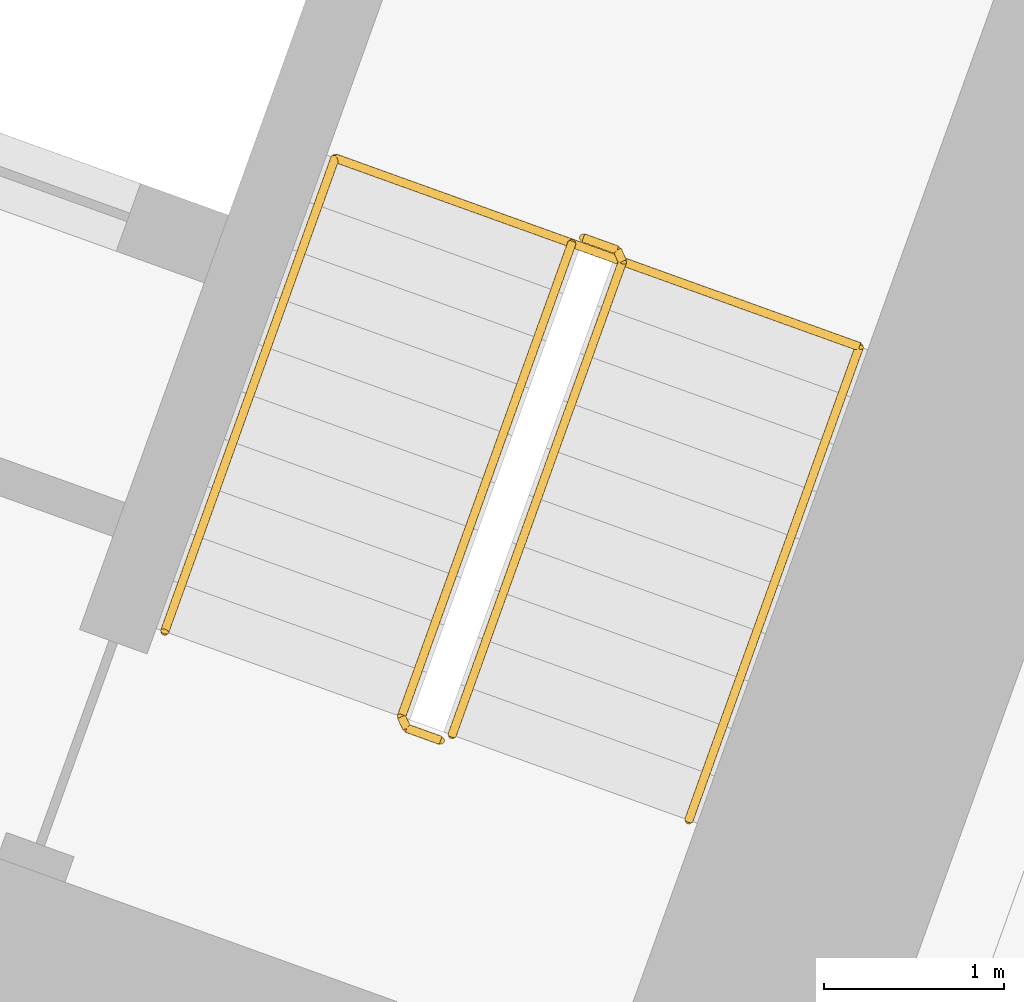
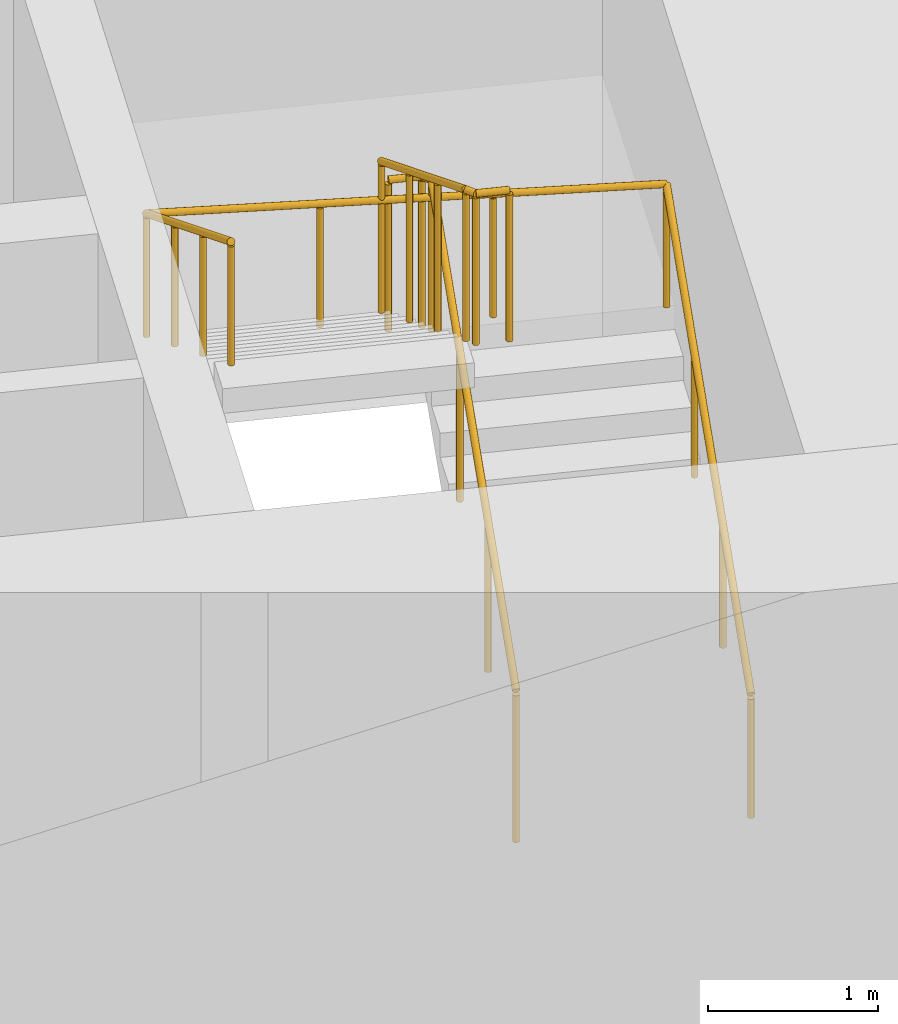
# One storey, part 20 of 20: 3 railings.
"""IFC4 building model written with IfcOpenShell, lengths in metres."""

import ifcopenshell
import ifcopenshell.guid

model = None  # the IFC model being written
_history = None  # IfcOwnerHistory: only IFC2X3 demands one
_inside = {}  # id of a spatial element -> (the spatial element, [elements in it])
_under = {}  # id of a project, library or spatial element -> (it, [spatial elements below it])
_declared = {}  # id of a project -> (the project, [libraries it declares])
_typed = {}  # id of a type object -> (the type object, [elements of that type])
_made_of = {}  # id of a material, layer set ... -> (it, [elements and type objects made of it])


def new_model(schema):
    """Start an empty IFC model of exactly this schema.

    Asked for "IFC4X3", IfcOpenShell would pick the latest addendum, in which some entities
    have other attributes; the version numbers below select the first issue.
    IFC2X3 requires an IfcOwnerHistory on every rooted entity: one is made here for all.
    """
    global model, _history
    if schema == "IFC4X3":
        model = ifcopenshell.file(schema_version=(4, 3, 0, 0))
    else:
        model = ifcopenshell.file(schema=schema)
    _inside.clear()
    _under.clear()
    _declared.clear()
    _typed.clear()
    _made_of.clear()
    _history = None
    if model.schema == "IFC2X3":
        org = make("IfcOrganization", Name="unknown")
        user = make(
            "IfcPersonAndOrganization",
            ThePerson=make("IfcPerson", FamilyName="unknown"),
            TheOrganization=org,
        )
        app = make(
            "IfcApplication",
            ApplicationDeveloper=org,
            Version="unknown",
            ApplicationFullName="unknown",
            ApplicationIdentifier="unknown",
        )
        _history = make(
            "IfcOwnerHistory",
            OwningUser=user,
            OwningApplication=app,
            ChangeAction="ADDED",
            CreationDate=0,
        )
    return model


def make(cls, **values):
    """One entity of the class cls with the attributes given. An attribute that is None is left unset."""
    return model.create_entity(
        cls, **{name: value for name, value in values.items() if value is not None}
    )


def rooted(cls, **values):
    """An entity with a GlobalId (a new one), such as an element, a storey or a relation."""
    return make(cls, GlobalId=ifcopenshell.guid.new(), OwnerHistory=_history, **values)


def si_unit(unit_type, name, prefix=None):
    """IfcSIUnit, for example si_unit("LENGTHUNIT", "METRE", prefix="MILLI")."""
    return make("IfcSIUnit", UnitType=unit_type, Prefix=prefix, Name=name)


def assignment(units):
    """IfcUnitAssignment: the units of a project."""
    return None if units is None else make("IfcUnitAssignment", Units=units)


def point(xyz):
    """IfcCartesianPoint."""
    return None if xyz is None else make("IfcCartesianPoint", Coordinates=xyz)


def direction(xyz):
    """IfcDirection."""
    return None if xyz is None else make("IfcDirection", DirectionRatios=xyz)


def frame(location, z_axis=None, x_axis=None):
    """IfcAxis2Placement3D, a coordinate frame: its origin and axes. An axis left out is left unset."""
    return make(
        "IfcAxis2Placement3D",
        Location=point(location),
        Axis=direction(z_axis),
        RefDirection=direction(x_axis),
    )


def frame_2d(location, x_axis=None):
    """IfcAxis2Placement2D, a coordinate frame in the plane: its origin and x axis."""
    return make(
        "IfcAxis2Placement2D", Location=point(location), RefDirection=direction(x_axis)
    )


def origin():
    """The frame at (0, 0, 0) with its axes left unset."""
    return frame((0.0, 0.0, 0.0))


def origin_2d():
    """The frame at (0, 0) in the plane with its x axis left unset."""
    return frame_2d((0.0, 0.0))


def place(relative_to, where):
    """IfcLocalPlacement: puts the frame where relative to a parent placement (None: the world)."""
    return make(
        "IfcLocalPlacement", PlacementRelTo=relative_to, RelativePlacement=where
    )


def context(
    kind, dimensions, precision=None, world=None, true_north=None, identifier=None
):
    """IfcGeometricRepresentationContext, for example the 3D "Model" context."""
    return make(
        "IfcGeometricRepresentationContext",
        ContextIdentifier=identifier,
        ContextType=kind,
        CoordinateSpaceDimension=dimensions,
        Precision=precision,
        WorldCoordinateSystem=world,
        TrueNorth=true_north,
    )


def subcontext(parent, identifier, kind, view, scale=None):
    """IfcGeometricRepresentationSubContext, for example "Body" below "Model"."""
    return make(
        "IfcGeometricRepresentationSubContext",
        ContextIdentifier=identifier,
        ContextType=kind,
        ParentContext=parent,
        TargetScale=scale,
        TargetView=view,
    )


def project(units=None, contexts=None):
    """IfcProject with its units and contexts."""
    return rooted(
        "IfcProject",
        Name="project",
        RepresentationContexts=contexts,
        UnitsInContext=assignment(units),
    )


def spatial(cls, under=None, at=None, **own):
    """A site, building, storey or space (cls), placed at a placement, below another one or the project."""
    s = rooted(cls, ObjectPlacement=at, **own)
    if under is not None:
        _under.setdefault(under.id(), (under, []))[1].append(s)
    return s


def profile(cls, at=None, kind="AREA", **sizes):
    """A parametric profile (cls). Its sizes go by their IFC names, for example OverallWidth=200.0."""
    return make(cls, ProfileType=kind, Position=at, **sizes)


def circle(**sizes):
    """IfcCircleProfileDef."""
    return profile("IfcCircleProfileDef", **sizes)


def extrude(swept, where, along, depth):
    """IfcExtrudedAreaSolid: the profile swept, set in the frame where, extruded along a direction by depth."""
    return make(
        "IfcExtrudedAreaSolid",
        SweptArea=swept,
        Position=where,
        ExtrudedDirection=direction(along),
        Depth=depth,
    )


def shape(context_of_items, identifier, shape_type, items):
    """IfcShapeRepresentation: the items that make up one representation, for example the "Body"."""
    return make(
        "IfcShapeRepresentation",
        ContextOfItems=context_of_items,
        RepresentationIdentifier=identifier,
        RepresentationType=shape_type,
        Items=items,
    )


def material(Name=None, Category=None):
    """IfcMaterial."""
    return make("IfcMaterial", Name=Name, Category=Category)


def made_of(thing, what):
    """Note that an element or type object is made of a material, layer set ...; save() writes the relation."""
    if what is not None:
        _made_of.setdefault(what.id(), (what, []))[1].append(thing)
    return thing


def type_object(cls, material=None, **own):
    """A type object (cls), such as IfcWallType, which elements share."""
    return made_of(rooted(cls, **own), material)


def element(
    cls,
    number,
    at=None,
    inside=None,
    cuts=None,
    type_object=None,
    material=None,
    context=None,
    identifier="Body",
    shape_type=None,
    held_by="IfcProductDefinitionShape",
    body=None,
    shapes=None,
    **own,
):
    """One element of the class cls, such as IfcWall. Its Tag is "e" and its number.

    at: its placement. inside: the storey or other place that contains it. cuts: it is an
    opening in that element (IfcRelVoidsElement). A single representation is given by context,
    identifier, shape_type and body (its items); several are given by shapes. held_by: the class
    of the entity that holds the representations. save() writes the other relations.
    """
    e = rooted(cls, Tag="e%d" % number, ObjectPlacement=at, **own)
    if body is not None:
        shapes = [shape(context, identifier, shape_type, body)]
    if shapes is not None:
        e.Representation = make(held_by, Representations=shapes)
    if inside is not None:
        _inside.setdefault(inside.id(), (inside, []))[1].append(e)
    if cuts is not None:
        rooted(
            "IfcRelVoidsElement", RelatingBuildingElement=cuts, RelatedOpeningElement=e
        )
    if type_object is not None:
        _typed.setdefault(type_object.id(), (type_object, []))[1].append(e)
    return made_of(e, material)


def aggregate(whole, parts):
    """IfcRelAggregates: a whole, such as a stair, and the parts it consists of."""
    return rooted("IfcRelAggregates", RelatingObject=whole, RelatedObjects=parts)


def save(model, path):
    """Write the relations noted so far, then the file.

    IfcRelAggregates (storeys below a building ...), IfcRelContainedInSpatialStructure (elements
    in a storey), IfcRelDefinesByType, IfcRelAssociatesMaterial and IfcRelDeclares: one each for
    every whole, place, type object, material and project.
    """
    for whole, parts in _under.values():
        aggregate(whole, parts)
    for where, things in _inside.values():
        rooted(
            "IfcRelContainedInSpatialStructure",
            RelatedElements=things,
            RelatingStructure=where,
        )
    for kind, things in _typed.values():
        rooted("IfcRelDefinesByType", RelatedObjects=things, RelatingType=kind)
    for what, things in _made_of.values():
        rooted("IfcRelAssociatesMaterial", RelatedObjects=things, RelatingMaterial=what)
    for by, libraries in _declared.values():
        rooted("IfcRelDeclares", RelatingContext=by, RelatedDefinitions=libraries)
    model.write(path)


model = new_model("IFC4")

# Units and contexts
model_context = context("Model", 3, precision=1e-05, world=origin(), true_north=direction((0.0, 1.0)))
body_context = subcontext(model_context, "Body", "Model", "MODEL_VIEW")
ifc_project = project(units=[si_unit("LENGTHUNIT", "METRE"), si_unit("AREAUNIT", "SQUARE_METRE"), si_unit("VOLUMEUNIT", "CUBIC_METRE"), si_unit("PLANEANGLEUNIT", "RADIAN"), si_unit("MASSUNIT", "GRAM", prefix="KILO")], contexts=[model_context])

# Site, building, storey
site_placement = place(None, origin())
site = spatial("IfcSite", under=ifc_project, at=site_placement, CompositionType="ELEMENT")
building_placement = place(site_placement, origin())
building = spatial("IfcBuilding", under=site, at=building_placement, Name="Stone Belt Terrace Tower", CompositionType="ELEMENT")
storey_placement = place(building_placement, frame((0.0, 0.0, 174.39990234375)))
storey = spatial("IfcBuildingStorey", under=building, at=storey_placement, Name="L42", CompositionType="ELEMENT", Elevation=174.39990234375)

# Railings
ifc_material = material(Name="Structural steel C345", Category="steel")
railing_type_1 = type_object("IfcRailingType", Name="Stair guard 1100", PredefinedType="GUARDRAIL", material=ifc_material)
railing_1_placement = place(storey_placement, frame((24.494140625, 45.174560546875, 0.1728515625)))
element("IfcRailing", 1, at=railing_1_placement, inside=storey, type_object=railing_type_1, Name="L42 ST1B stair guard 1", PredefinedType="GUARDRAIL", context=body_context, shape_type="SweptSolid", body=[
    extrude(circle(Radius=0.02392578125, at=origin_2d()), frame((0.0, 0.0, 1.076171875), z_axis=(0.288228637646, 0.800791768495, 0.525030280985), x_axis=(-0.940908529223, 0.338660803216, 0.0)), (0.0, 0.0, 1.0), 3.289794921875),
    extrude(circle(Radius=0.02392578125, at=origin_2d()), frame((0.9482421875, 2.634521484375, 2.80322265625), z_axis=(-0.424964916, 0.905209821074, 0.0), x_axis=(-0.905209821074, -0.424964916, 0.0)), (0.0, 0.0, 1.0), 0.070556640625),
    extrude(circle(Radius=0.02392578125, at=origin_2d()), frame((0.918212890625, 2.698486328125, 2.80322265625), z_axis=(-0.941105063269, 0.338114270461, 0.0), x_axis=(-0.338114270461, -0.941105063269, 0.0)), (0.0, 0.0, 1.0), 0.199951171875),
    extrude(circle(Radius=0.02099609375, at=origin_2d()), origin(), (0.0, 0.0, 1.0), 1.052001953125),
    extrude(circle(Radius=0.02099609375, at=origin_2d()), frame((0.316162109375, 0.878173828125, 0.57568359375)), (0.0, 0.0, 1.0), 1.052001953125),
    extrude(circle(Radius=0.02099609375, at=origin_2d()), frame((0.632080078125, 1.75634765625, 1.151611328125)), (0.0, 0.0, 1.0), 1.052001953125),
    extrude(circle(Radius=0.02099609375, at=origin_2d()), frame((0.9482421875, 2.634521484375, 1.727294921875)), (0.0, 0.0, 1.0), 1.052001953125),
    extrude(circle(Radius=0.02099609375, at=origin_2d()), frame((0.918212890625, 2.698486328125, 1.727294921875)), (0.0, 0.0, 1.0), 1.052001953125),
    extrude(circle(Radius=0.02099609375, at=origin_2d()), frame((0.72998046875, 2.76611328125, 1.727294921875)), (0.0, 0.0, 1.0), 1.052001953125),
])
railing_2_placement = place(storey_placement, frame((25.16015625, 47.91064453125, 2.07275390625)))
element("IfcRailing", 2, at=railing_2_placement, inside=storey, type_object=railing_type_1, Name="L42 ST1B stair guard 2", PredefinedType="GUARDRAIL", context=body_context, shape_type="SweptSolid", body=[
    extrude(circle(Radius=0.02392578125, at=origin_2d()), frame((0.0, 0.0, 1.076171875), z_axis=(-0.288228637646, -0.800791768495, 0.525030280985), x_axis=(0.940908529223, -0.338660803216, 0.0)), (0.0, 0.0, 1.0), 3.289794921875),
    extrude(circle(Radius=0.02392578125, at=origin_2d()), frame((-0.9482421875, -2.634521484375, 2.80322265625), z_axis=(0.427789722475, -0.903878284585, 0.0), x_axis=(0.903878284585, 0.427789722475, 0.0)), (0.0, 0.0, 1.0), 0.07080078125),
    extrude(circle(Radius=0.02392578125, at=origin_2d()), frame((-0.91796875, -2.698486328125, 2.80322265625), z_axis=(0.940575576748, -0.339584429008, 0.0), x_axis=(0.339584429008, 0.940575576748, 0.0)), (0.0, 0.0, 1.0), 0.199951171875),
    extrude(circle(Radius=0.02099609375, at=origin_2d()), origin(), (0.0, 0.0, 1.0), 1.052001953125),
    extrude(circle(Radius=0.02099609375, at=origin_2d()), frame((-0.316162109375, -0.878173828125, 0.57568359375)), (0.0, 0.0, 1.0), 1.052001953125),
    extrude(circle(Radius=0.02099609375, at=origin_2d()), frame((-0.632080078125, -1.75634765625, 1.151611328125)), (0.0, 0.0, 1.0), 1.052001953125),
    extrude(circle(Radius=0.02099609375, at=origin_2d()), frame((-0.9482421875, -2.634521484375, 1.727294921875)), (0.0, 0.0, 1.0), 1.052001953125),
    extrude(circle(Radius=0.02099609375, at=origin_2d()), frame((-0.91796875, -2.698486328125, 1.727294921875)), (0.0, 0.0, 1.0), 1.052001953125),
    extrude(circle(Radius=0.02099609375, at=origin_2d()), frame((-0.72998046875, -2.766357421875, 1.727294921875)), (0.0, 0.0, 1.0), 1.052001953125),
])
railing_type_2 = type_object("IfcRailingType", Name="Stair handrail 900", PredefinedType="HANDRAIL", material=ifc_material)
railing_3_placement = place(storey_placement, frame((25.8115234375, 44.700439453125, 0.1728515625)))
element("IfcRailing", 3, at=railing_3_placement, inside=storey, type_object=railing_type_2, Name="L42 ST1B stair handrail 1", PredefinedType="HANDRAIL", context=body_context, shape_type="SweptSolid", body=[
    extrude(circle(Radius=0.02392578125, at=origin_2d()), frame((0.0, 0.0, 0.8759765625), z_axis=(0.288228637646, 0.800791768495, 0.525030280985), x_axis=(-0.940908529223, 0.338660803216, 0.0)), (0.0, 0.0, 1.0), 3.289794921875),
    extrude(circle(Radius=0.02392578125, at=origin_2d()), frame((0.9482421875, 2.634521484375, 2.60302734375), z_axis=(-0.939464517435, 0.338106580597, 0.055591012205), x_axis=(-0.338630230244, -0.940919532779, 0.0)), (0.0, 0.0, 1.0), 3.10498046875),
    extrude(circle(Radius=0.02392578125, at=origin_2d()), frame((-1.96875, 3.684326171875, 2.77587890625), z_axis=(-0.288160591223, -0.800808895155, 0.52504150989), x_axis=(0.940936311087, -0.338583606334, 0.0)), (0.0, 0.0, 1.0), 3.289794921875),
    extrude(circle(Radius=0.02099609375, at=origin_2d()), origin(), (0.0, 0.0, 1.0), 0.851806640625),
    extrude(circle(Radius=0.02099609375, at=origin_2d()), frame((0.316162109375, 0.878173828125, 0.57568359375)), (0.0, 0.0, 1.0), 0.851806640625),
    extrude(circle(Radius=0.02099609375, at=origin_2d()), frame((0.632080078125, 1.75634765625, 1.151611328125)), (0.0, 0.0, 1.0), 0.851806640625),
    extrude(circle(Radius=0.02099609375, at=origin_2d()), frame((0.9482421875, 2.634521484375, 1.727294921875)), (0.0, 0.0, 1.0), 0.851806640625),
    extrude(circle(Radius=0.02099609375, at=origin_2d()), frame((-0.024169921875, 2.984375, 1.784912109375)), (0.0, 0.0, 1.0), 0.851806640625),
    extrude(circle(Radius=0.02099609375, at=origin_2d()), frame((-0.996337890625, 3.33447265625, 1.84228515625)), (0.0, 0.0, 1.0), 0.851806640625),
    extrude(circle(Radius=0.02099609375, at=origin_2d()), frame((-1.96875, 3.684326171875, 1.89990234375)), (0.0, 0.0, 1.0), 0.851806640625),
    extrude(circle(Radius=0.02099609375, at=origin_2d()), frame((-2.28466796875, 2.80615234375, 2.4755859375)), (0.0, 0.0, 1.0), 0.851806640625),
    extrude(circle(Radius=0.02099609375, at=origin_2d()), frame((-2.600830078125, 1.927978515625, 3.051513671875)), (0.0, 0.0, 1.0), 0.851806640625),
    extrude(circle(Radius=0.02099609375, at=origin_2d()), frame((-2.916748046875, 1.0498046875, 3.627197265625)), (0.0, 0.0, 1.0), 0.851806640625),
])

save(model, "model.ifc")
